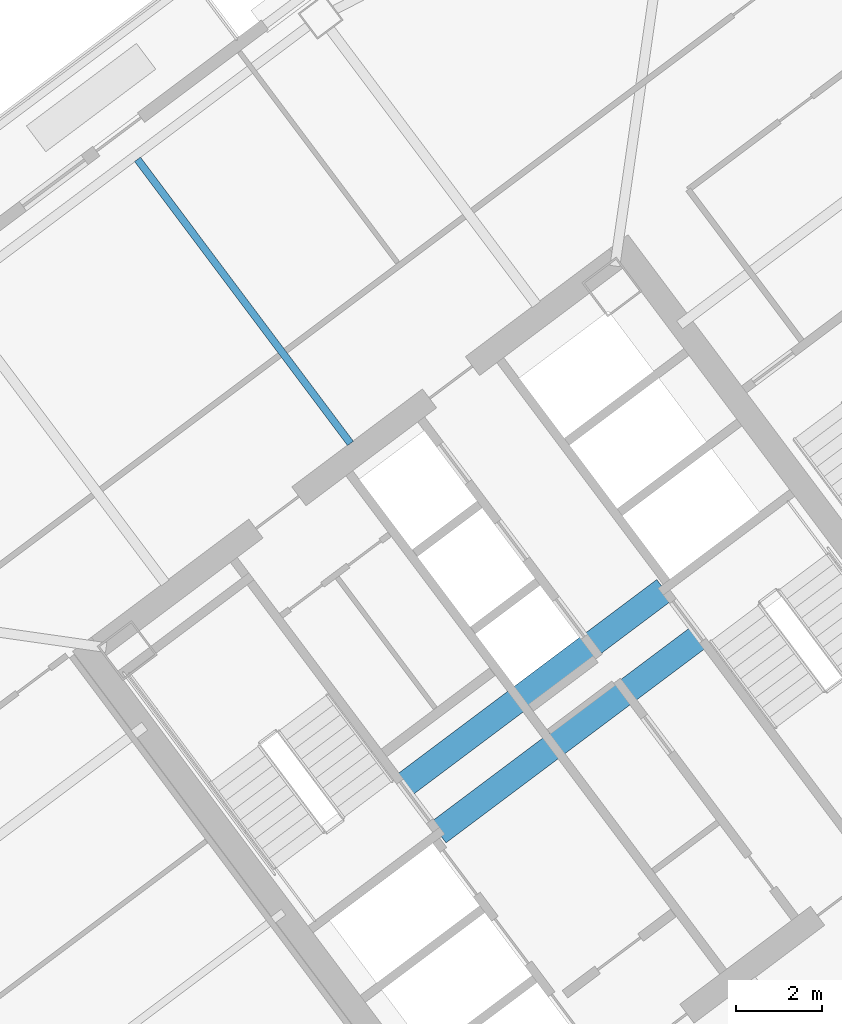
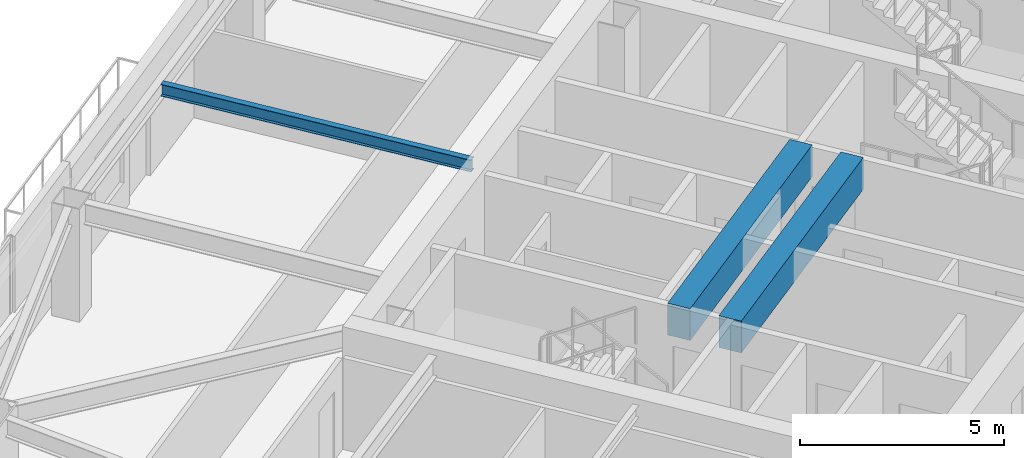
# One storey, part 24 of 44: 3 beams.
"""IFC4 building model written with IfcOpenShell, lengths in metres."""

from ifc_helpers import new_model, si_unit, direction, frame, origin, origin_2d, place, context, subcontext, project, spatial, rectangle, i_section, extrude, material, material_profile, profile_set, type_object, element, save


model = new_model("IFC4")

# Units and contexts
model_context = context("Model", 3, precision=1e-05, world=origin(), true_north=direction((0.0, 1.0)))
body_context = subcontext(model_context, "Body", "Model", "MODEL_VIEW")
ifc_project = project(units=[si_unit("LENGTHUNIT", "METRE"), si_unit("AREAUNIT", "SQUARE_METRE"), si_unit("VOLUMEUNIT", "CUBIC_METRE"), si_unit("PLANEANGLEUNIT", "RADIAN"), si_unit("MASSUNIT", "GRAM", prefix="KILO")], contexts=[model_context])

# Site, building, storey
site_placement = place(None, origin())
site = spatial("IfcSite", under=ifc_project, at=site_placement, CompositionType="ELEMENT")
building_placement = place(site_placement, origin())
building = spatial("IfcBuilding", under=site, at=building_placement, Name="Tashvorn Skyway Center", CompositionType="ELEMENT")
storey_placement = place(building_placement, frame((0.0, 0.0, 181.85009765625)))
storey = spatial("IfcBuildingStorey", under=building, at=storey_placement, Name="L49", CompositionType="ELEMENT", Elevation=181.85009765625)

# Beams
ifc_material_1 = material(Name="Steel ASTM A992 Grade 50", Category="steel")
ifc_material_profile_1 = material_profile(ifc_material_1, i_section(OverallWidth=0.1708984375, OverallDepth=0.35498046875, WebThickness=0.007080078125, FlangeThickness=0.01171875, at=origin_2d()), Name="W14X34")
ifc_profile_set_1 = profile_set([ifc_material_profile_1], Name="Steel ASTM A992 Grade 50")
beam_type_1 = type_object("IfcBeamType", Name="BM-JOIST-W14X34", PredefinedType="JOIST", material=ifc_profile_set_1)
beam_placement = place(storey_placement, frame((109.325927734375, 38.23193359375, 3.1923828125), z_axis=(-0.59999527236, 0.800003545708, 0.0), x_axis=(-0.800003545708, -0.59999527236, 0.0)))
element("IfcBeam", 1, at=beam_placement, inside=storey, type_object=beam_type_1, Name="Tower 2 L49 Secondary Composite Joist JN", PredefinedType="JOIST", context=body_context, shape_type="SweptSolid", body=[
    extrude(i_section(OverallWidth=0.1708984375, OverallDepth=0.35498046875, WebThickness=0.007080078125, FlangeThickness=0.01171875, at=origin_2d()), origin(), (0.0, 0.0, 1.0), 8.2626953125),
])
ifc_material_2 = material(Name="Concrete C60/75", Category="concrete")
ifc_material_profile_2 = material_profile(ifc_material_2, rectangle(XDim=0.60009765625, YDim=0.949951171875, at=origin_2d()), Name="RCB600x950")
ifc_profile_set_2 = profile_set([ifc_material_profile_2], Name="Concrete C60/75")
beam_type_2 = type_object("IfcBeamType", Name="BM-LINTEL-RCB600x950", PredefinedType="LINTEL", material=ifc_profile_set_2)
for number, where, z_axis, x_axis, name in (
    (2, (110.552001953125, 30.263916015625, 2.89501953125), (0.8, 0.6, 0.0), (-0.6, 0.8, 0.0), "Tower 2 L49 Core Coupling Beam CN"),
    (3, (111.367919921875, 29.176025390625, 2.89501953125), (0.8, 0.6, 0.0), (-0.6, 0.8, 0.0), "Tower 2 L49 Core Coupling Beam CS"),
):
    element("IfcBeam", number, at=place(storey_placement, frame(where, z_axis=z_axis, x_axis=x_axis)), inside=storey, type_object=beam_type_2, Name=name, PredefinedType="LINTEL", context=body_context, shape_type="SweptSolid", body=[
        extrude(rectangle(XDim=0.60009765625, YDim=0.949951171875, at=origin_2d()), origin(), (0.0, 0.0, 1.0), 7.60009765625),
    ])

save(model, "model.ifc")
